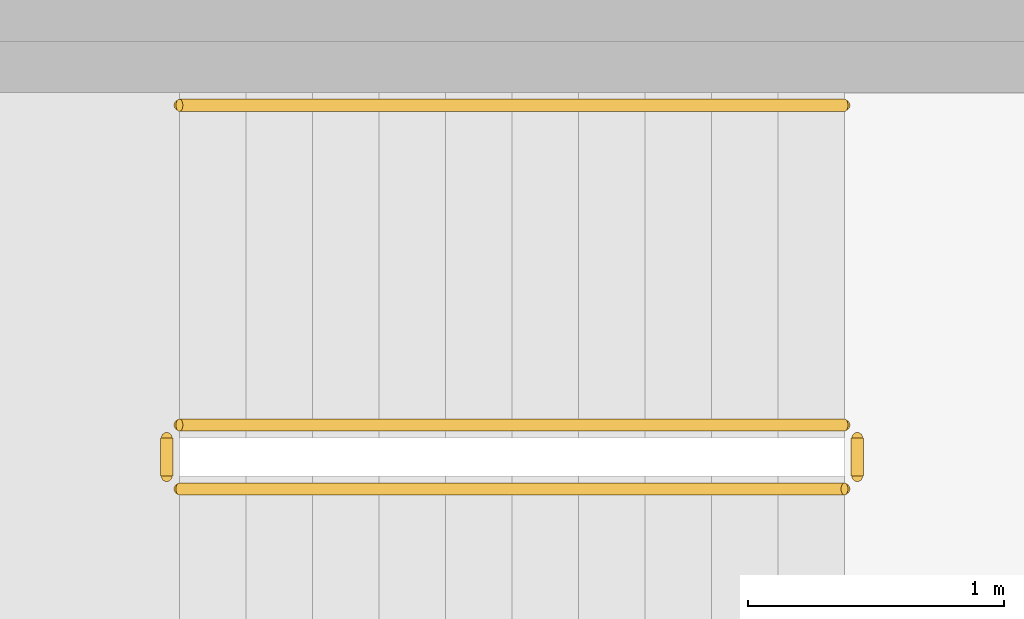
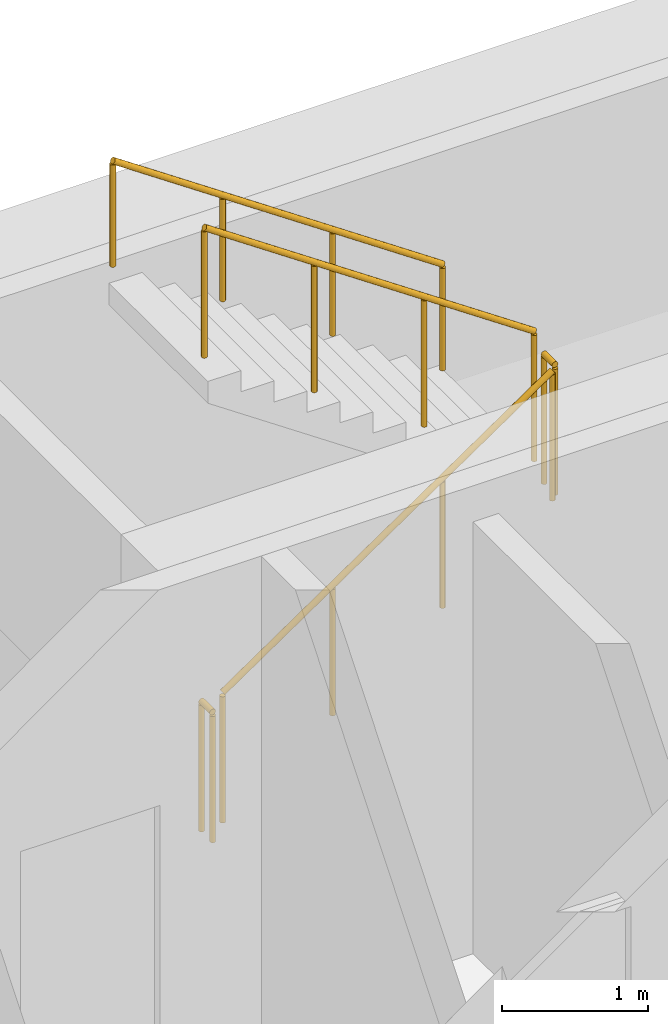
# One storey, part 9 of 9: 5 railings.
"""IFC4 building model written with IfcOpenShell, lengths in metres."""

from ifc_helpers import new_model, si_unit, direction, frame, origin, origin_2d, place, context, subcontext, project, spatial, circle, extrude, material, type_object, element, save


model = new_model("IFC4")

# Units and contexts
model_context = context("Model", 3, precision=1e-05, world=origin(), true_north=direction((0.0, 1.0)))
body_context = subcontext(model_context, "Body", "Model", "MODEL_VIEW")
ifc_project = project(units=[si_unit("LENGTHUNIT", "METRE"), si_unit("AREAUNIT", "SQUARE_METRE"), si_unit("VOLUMEUNIT", "CUBIC_METRE"), si_unit("PLANEANGLEUNIT", "RADIAN"), si_unit("MASSUNIT", "GRAM", prefix="KILO")], contexts=[model_context])

# Site, building, storey
site_placement = place(None, origin())
site = spatial("IfcSite", under=ifc_project, at=site_placement, CompositionType="ELEMENT")
building_placement = place(site_placement, origin())
building = spatial("IfcBuilding", under=site, at=building_placement, Name="White Candle Pilgrim Tower", CompositionType="ELEMENT")
storey_placement = place(building_placement, frame((0.0, 0.0, 256.10009765625)))
storey = spatial("IfcBuildingStorey", under=building, at=storey_placement, Name="L60", CompositionType="ELEMENT", Elevation=256.10009765625)

# Railings
ifc_material = material(Name="Stainless steel", Category="steel")
railing_type_1 = type_object("IfcRailingType", Name="Stair guard stainless steel 1100 mm", PredefinedType="GUARDRAIL", material=ifc_material)
railing_1_placement = place(storey_placement, frame((69.39990234375, 85.550048828125, 0.17724609375)))
element("IfcRailing", 1, at=railing_1_placement, inside=storey, type_object=railing_type_1, Name="L60 ST3 stair guard 1", PredefinedType="GUARDRAIL", context=body_context, shape_type="SweptSolid", body=[
    extrude(circle(Radius=0.02392578125, at=origin_2d()), frame((0.0, 0.0, 1.076171875), z_axis=(0.826240473404, 0.0, 0.563317565952), x_axis=(0.0, 1.0, 0.0)), (0.0, 0.0, 1.0), 3.14697265625),
    extrude(circle(Radius=0.02099609375, at=origin_2d()), origin(), (0.0, 0.0, 1.0), 1.052001953125),
    extrude(circle(Radius=0.02099609375, at=origin_2d()), frame((0.86669921875, 0.0, 0.5908203125)), (0.0, 0.0, 1.0), 1.052001953125),
    extrude(circle(Radius=0.02099609375, at=origin_2d()), frame((1.7333984375, 0.0, 1.181884765625)), (0.0, 0.0, 1.0), 1.052001953125),
    extrude(circle(Radius=0.02099609375, at=origin_2d()), frame((2.60009765625, 0.0, 1.772705078125)), (0.0, 0.0, 1.0), 1.052001953125),
])
railing_2_placement = place(storey_placement, frame((72.050048828125, 85.60009765625, 1.949951171875)))
element("IfcRailing", 2, at=railing_2_placement, inside=storey, type_object=railing_type_1, Name="L60 ST3 stair guard 2", PredefinedType="GUARDRAIL", context=body_context, shape_type="SweptSolid", body=[
    extrude(circle(Radius=0.02392578125, at=origin_2d()), frame((0.0, 0.0, 1.076171875), z_axis=(0.0, 1.0, 0.0), x_axis=(-1.0, 0.0, 0.0)), (0.0, 0.0, 1.0), 0.14990234375),
    extrude(circle(Radius=0.02099609375, at=origin_2d()), origin(), (0.0, 0.0, 1.0), 1.052001953125),
    extrude(circle(Radius=0.02099609375, at=origin_2d()), frame((0.0, 0.14990234375, 0.0)), (0.0, 0.0, 1.0), 1.052001953125),
])
railing_3_placement = place(storey_placement, frame((72.0, 85.800048828125, 2.127197265625)))
element("IfcRailing", 3, at=railing_3_placement, inside=storey, type_object=railing_type_1, Name="L60 ST3 stair guard 3", PredefinedType="GUARDRAIL", context=body_context, shape_type="SweptSolid", body=[
    extrude(circle(Radius=0.02392578125, at=origin_2d()), frame((0.0, 0.0, 1.076171875), z_axis=(-0.826240473404, 0.0, 0.563317565952), x_axis=(0.0, -1.0, 0.0)), (0.0, 0.0, 1.0), 3.14697265625),
    extrude(circle(Radius=0.02099609375, at=origin_2d()), origin(), (0.0, 0.0, 1.0), 1.052001953125),
    extrude(circle(Radius=0.02099609375, at=origin_2d()), frame((-0.86669921875, 0.0, 0.5908203125)), (0.0, 0.0, 1.0), 1.052001953125),
    extrude(circle(Radius=0.02099609375, at=origin_2d()), frame((-1.7333984375, 0.0, 1.181884765625)), (0.0, 0.0, 1.0), 1.052001953125),
    extrude(circle(Radius=0.02099609375, at=origin_2d()), frame((-2.60009765625, 0.0, 1.772705078125)), (0.0, 0.0, 1.0), 1.052001953125),
])
railing_4_placement = place(storey_placement, frame((69.35009765625, 85.60009765625, 0.0)))
element("IfcRailing", 4, at=railing_4_placement, inside=storey, type_object=railing_type_1, Name="L60 ST3 stair guard 4", PredefinedType="GUARDRAIL", context=body_context, shape_type="SweptSolid", body=[
    extrude(circle(Radius=0.02392578125, at=origin_2d()), frame((0.0, 0.0, 1.076171875), z_axis=(0.0, 1.0, 0.0), x_axis=(-1.0, 0.0, 0.0)), (0.0, 0.0, 1.0), 0.14990234375),
    extrude(circle(Radius=0.02099609375, at=origin_2d()), origin(), (0.0, 0.0, 1.0), 1.052001953125),
    extrude(circle(Radius=0.02099609375, at=origin_2d()), frame((0.0, 0.14990234375, 0.0)), (0.0, 0.0, 1.0), 1.052001953125),
])
railing_type_2 = type_object("IfcRailingType", Name="Stair handrail stainless steel", PredefinedType="HANDRAIL", material=ifc_material)
railing_5_placement = place(storey_placement, frame((72.0, 87.050048828125, 2.127197265625)))
element("IfcRailing", 5, at=railing_5_placement, inside=storey, type_object=railing_type_2, Name="L60 ST3 stair handrail 2", PredefinedType="HANDRAIL", context=body_context, shape_type="SweptSolid", body=[
    extrude(circle(Radius=0.02392578125, at=origin_2d()), frame((0.0, 0.0, 0.8759765625), z_axis=(-0.826240473404, 0.0, 0.563317565952), x_axis=(0.0, -1.0, 0.0)), (0.0, 0.0, 1.0), 3.14697265625),
    extrude(circle(Radius=0.02099609375, at=origin_2d()), origin(), (0.0, 0.0, 1.0), 0.851806640625),
    extrude(circle(Radius=0.02099609375, at=origin_2d()), frame((-0.86669921875, 0.0, 0.5908203125)), (0.0, 0.0, 1.0), 0.851806640625),
    extrude(circle(Radius=0.02099609375, at=origin_2d()), frame((-1.7333984375, 0.0, 1.181884765625)), (0.0, 0.0, 1.0), 0.851806640625),
    extrude(circle(Radius=0.02099609375, at=origin_2d()), frame((-2.60009765625, 0.0, 1.772705078125)), (0.0, 0.0, 1.0), 0.851806640625),
])

save(model, "model.ifc")
